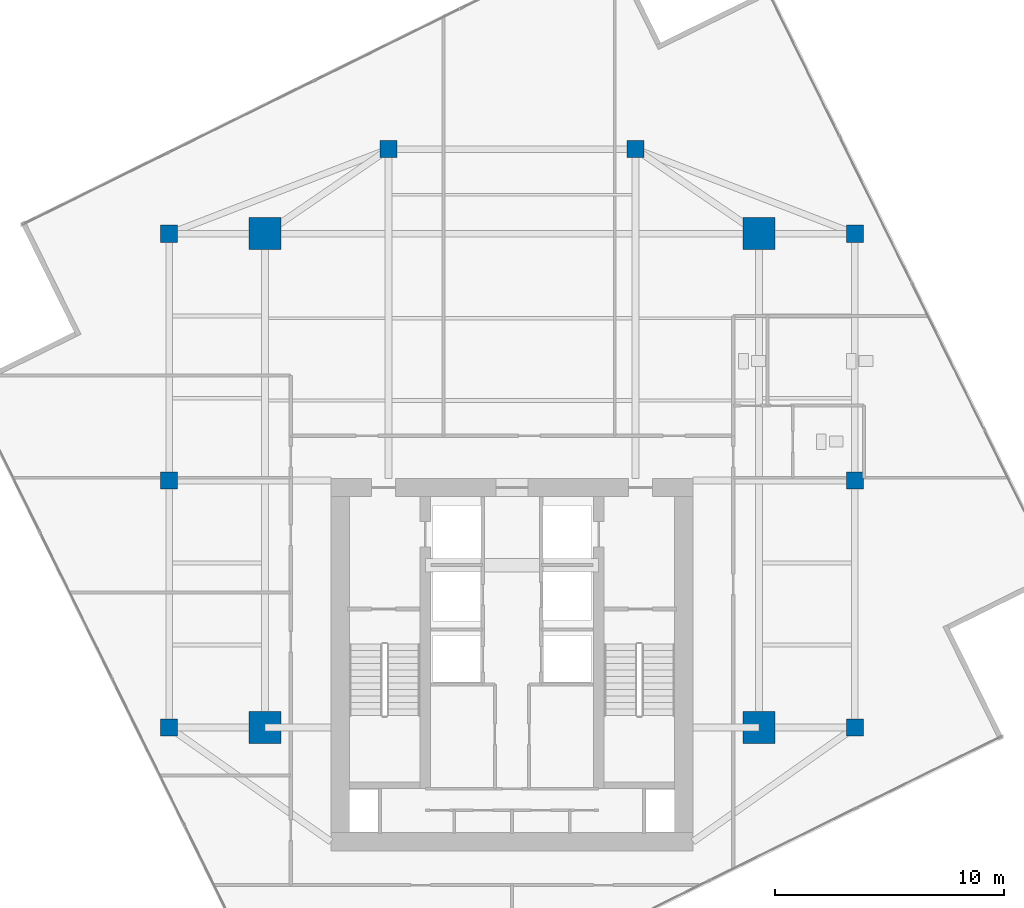
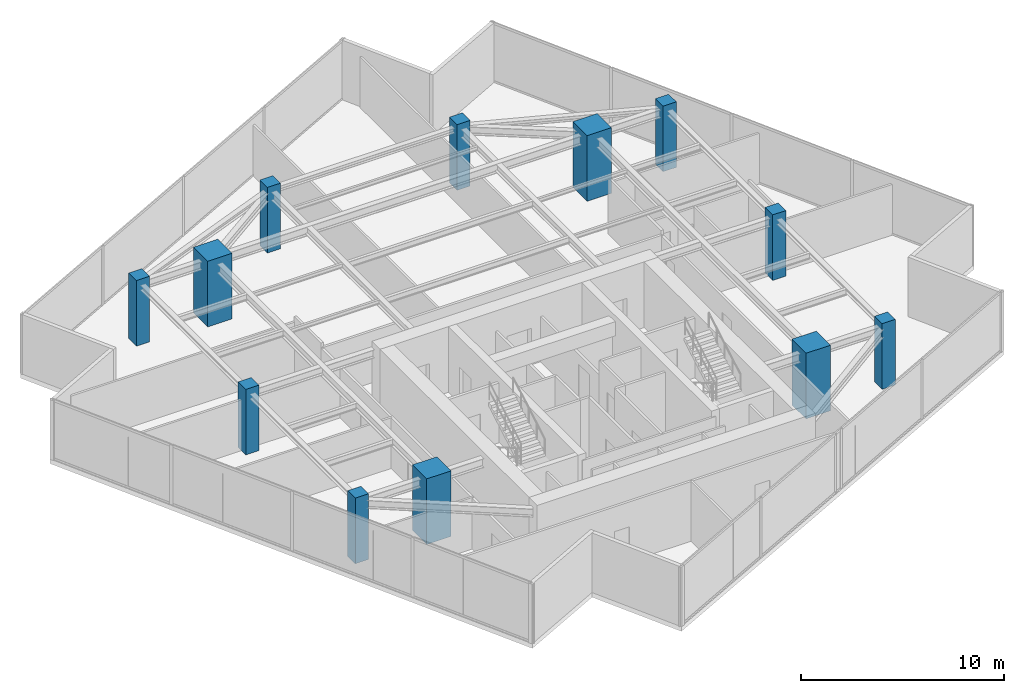
# One storey, part 1 of 22: 12 columns.
"""IFC4 building model written with IfcOpenShell, lengths in metres."""

from ifc_helpers import new_model, si_unit, direction, frame, origin, origin_2d, place, context, subcontext, project, spatial, rectangle, extrude, source, transform, mapped, material, material_profile, profile_set, type_object, type_shapes, element, save


model = new_model("IFC4")

# Units and contexts
model_context = context("Model", 3, precision=1e-05, world=origin(), true_north=direction((0.0, 1.0)))
body_context = subcontext(model_context, "Body", "Model", "MODEL_VIEW")
ifc_project = project(units=[si_unit("LENGTHUNIT", "METRE"), si_unit("AREAUNIT", "SQUARE_METRE"), si_unit("VOLUMEUNIT", "CUBIC_METRE"), si_unit("PLANEANGLEUNIT", "RADIAN"), si_unit("MASSUNIT", "GRAM", prefix="KILO")], contexts=[model_context])

# Site, building, storey
site_placement = place(None, origin())
site = spatial("IfcSite", under=ifc_project, at=site_placement, CompositionType="ELEMENT")
building_placement = place(site_placement, origin())
building = spatial("IfcBuilding", under=site, at=building_placement, Name="Krantzveldt Concourse Tower", CompositionType="ELEMENT")
storey_placement = place(building_placement, frame((0.0, 0.0, 314.800048828125)))
storey = spatial("IfcBuildingStorey", under=building, at=storey_placement, Name="L77", CompositionType="ELEMENT", Elevation=314.800048828125)

# Columns
ifc_material = material(Name="Concrete C50/60", Category="concrete")
ifc_material_profile_1 = material_profile(ifc_material, rectangle(XDim=1.39990234375, YDim=1.39990234375, at=origin_2d()), Name="Concrete C50/60", Category="concrete")
ifc_profile_set_1 = profile_set([ifc_material_profile_1], Name="Concrete C50/60 - RC 1400x1400")
column_type_1 = type_object("IfcColumnType", Name="COL-MC-1400", PredefinedType="USERDEFINED", material=ifc_profile_set_1)
shared_shape_1 = source(origin(), body_context, "Body", "SweptSolid", [
    extrude(rectangle(XDim=1.39990234375, YDim=1.39990234375, at=origin_2d()), origin(), (0.0, 0.0, 1.0), 3.949951171875),
])
type_shapes(column_type_1, [shared_shape_1])
for number, where, z_axis, x_axis, name in (
    (1, (25.199951171875, 15.89990234375, 0.0), (0.0, 0.0, 1.0), (1.0, 0.0, 0.0), "MC-SW-L77"),
    (2, (46.800048828125, 15.89990234375, 0.0), (0.0, 0.0, 1.0), (1.0, 0.0, 0.0), "MC-SE-L77"),
    (3, (46.800048828125, 37.5, 0.0), (0.0, 0.0, 1.0), (1.0, 0.0, 0.0), "MC-NE-L77"),
    (4, (25.199951171875, 37.5, 0.0), (0.0, 0.0, 1.0), (1.0, 0.0, 0.0), "MC-NW-L77"),
):
    element("IfcColumn", number, at=place(storey_placement, frame(where, z_axis=z_axis, x_axis=x_axis)), inside=storey, type_object=column_type_1, Name=name, ObjectType="MEGA COLUMN", PredefinedType="USERDEFINED", context=body_context, shape_type="MappedRepresentation", body=[
        mapped(shared_shape_1, transform((0.0, 0.0, 0.0), x_axis=(1.0, 0.0, 0.0), y_axis=(0.0, 1.0, 0.0), z_axis=(0.0, 0.0, 1.0), scale=1.0)),
    ])
ifc_material_profile_2 = material_profile(ifc_material, rectangle(XDim=0.75, YDim=0.75, at=origin_2d()), Name="Concrete C50/60", Category="concrete")
ifc_profile_set_2 = profile_set([ifc_material_profile_2], Name="Concrete C50/60 - RC 750x750")
column_type_2 = type_object("IfcColumnType", Name="COL-C-Z5", PredefinedType="COLUMN", material=ifc_profile_set_2)
shared_shape_2 = source(origin(), body_context, "Body", "SweptSolid", [
    extrude(rectangle(XDim=0.75, YDim=0.75, at=origin_2d()), origin(), (0.0, 0.0, 1.0), 3.949951171875),
])
type_shapes(column_type_2, [shared_shape_2])
for number, where, z_axis, x_axis, name in (
    (5, (21.0, 15.89990234375, 0.0), (0.0, 0.0, 1.0), (1.0, 0.0, 0.0), "PC-R01-L77"),
    (6, (21.0, 26.699951171875, 0.0), (0.0, 0.0, 1.0), (1.0, 0.0, 0.0), "PC-R02-L77"),
    (7, (21.0, 37.5, 0.0), (0.0, 0.0, 1.0), (1.0, 0.0, 0.0), "PC-R03-L77"),
    (8, (30.60009765625, 41.199951171875, 0.0), (0.0, 0.0, 1.0), (1.0, 0.0, 0.0), "PC-R04-L77"),
    (9, (41.39990234375, 41.199951171875, 0.0), (0.0, 0.0, 1.0), (1.0, 0.0, 0.0), "PC-R05-L77"),
    (10, (51.0, 37.5, 0.0), (0.0, 0.0, 1.0), (1.0, 0.0, 0.0), "PC-R06-L77"),
    (11, (51.0, 26.699951171875, 0.0), (0.0, 0.0, 1.0), (1.0, 0.0, 0.0), "PC-R07-L77"),
    (12, (51.0, 15.89990234375, 0.0), (0.0, 0.0, 1.0), (1.0, 0.0, 0.0), "PC-R08-L77"),
):
    element("IfcColumn", number, at=place(storey_placement, frame(where, z_axis=z_axis, x_axis=x_axis)), inside=storey, type_object=column_type_2, Name=name, PredefinedType="COLUMN", context=body_context, shape_type="MappedRepresentation", body=[
        mapped(shared_shape_2, transform((0.0, 0.0, 0.0), x_axis=(1.0, 0.0, 0.0), y_axis=(0.0, 1.0, 0.0), z_axis=(0.0, 0.0, 1.0), scale=1.0)),
    ])

save(model, "model.ifc")
